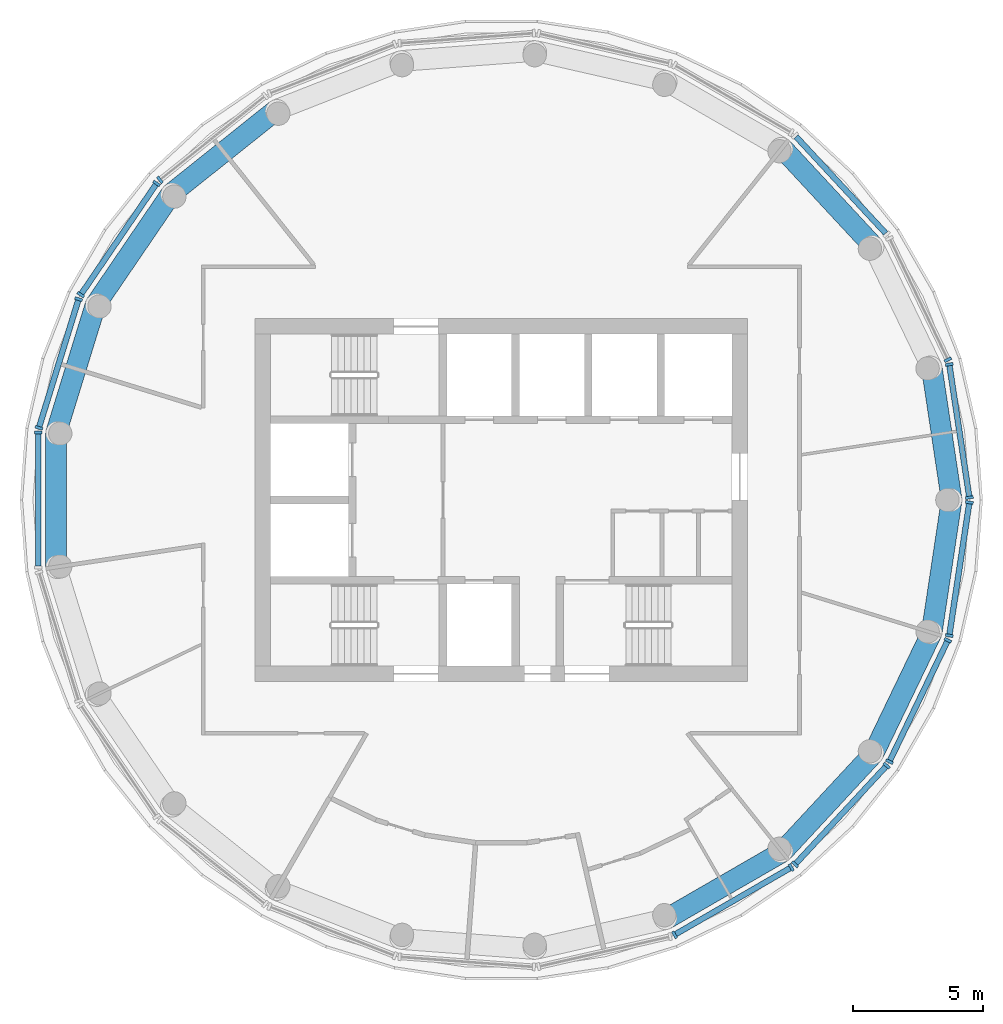
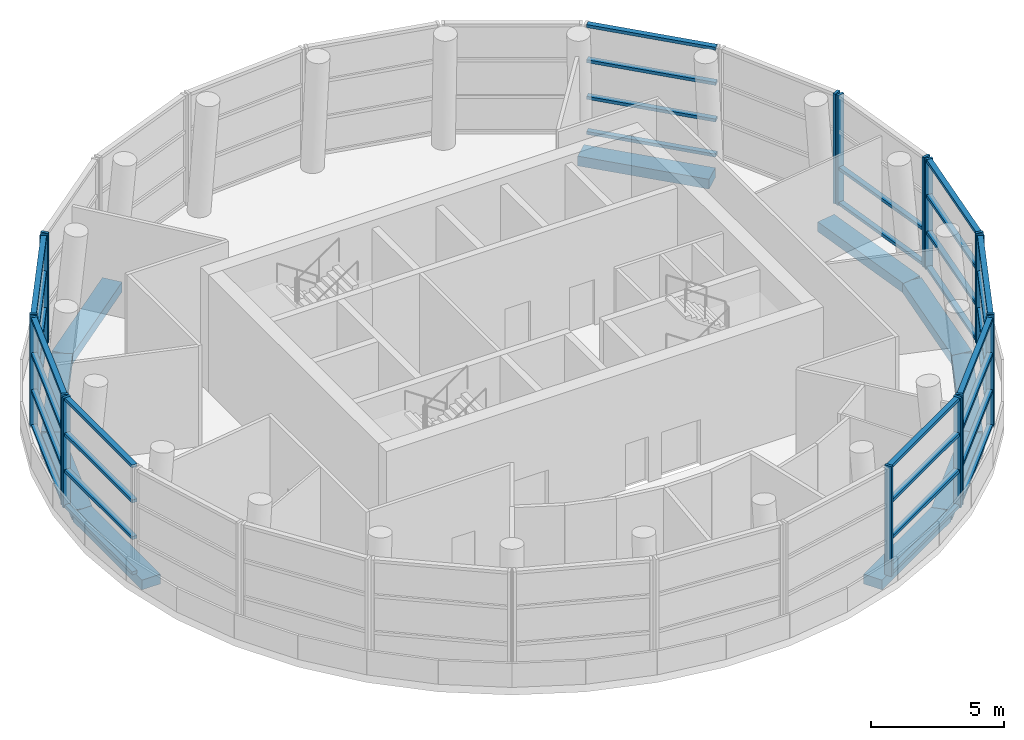
# One storey, part 2 of 11: 51 members, 10 beams, 11 elements without a shape of their own.
"""IFC4 building model written with IfcOpenShell, lengths in metres."""

import ifcopenshell
import ifcopenshell.guid

model = None  # the IFC model being written
_history = None  # IfcOwnerHistory: only IFC2X3 demands one
_inside = {}  # id of a spatial element -> (the spatial element, [elements in it])
_under = {}  # id of a project, library or spatial element -> (it, [spatial elements below it])
_declared = {}  # id of a project -> (the project, [libraries it declares])
_typed = {}  # id of a type object -> (the type object, [elements of that type])
_made_of = {}  # id of a material, layer set ... -> (it, [elements and type objects made of it])


def new_model(schema):
    """Start an empty IFC model of exactly this schema.

    Asked for "IFC4X3", IfcOpenShell would pick the latest addendum, in which some entities
    have other attributes; the version numbers below select the first issue.
    IFC2X3 requires an IfcOwnerHistory on every rooted entity: one is made here for all.
    """
    global model, _history
    if schema == "IFC4X3":
        model = ifcopenshell.file(schema_version=(4, 3, 0, 0))
    else:
        model = ifcopenshell.file(schema=schema)
    _inside.clear()
    _under.clear()
    _declared.clear()
    _typed.clear()
    _made_of.clear()
    _history = None
    if model.schema == "IFC2X3":
        org = make("IfcOrganization", Name="unknown")
        user = make(
            "IfcPersonAndOrganization",
            ThePerson=make("IfcPerson", FamilyName="unknown"),
            TheOrganization=org,
        )
        app = make(
            "IfcApplication",
            ApplicationDeveloper=org,
            Version="unknown",
            ApplicationFullName="unknown",
            ApplicationIdentifier="unknown",
        )
        _history = make(
            "IfcOwnerHistory",
            OwningUser=user,
            OwningApplication=app,
            ChangeAction="ADDED",
            CreationDate=0,
        )
    return model


def make(cls, **values):
    """One entity of the class cls with the attributes given. An attribute that is None is left unset."""
    return model.create_entity(
        cls, **{name: value for name, value in values.items() if value is not None}
    )


def rooted(cls, **values):
    """An entity with a GlobalId (a new one), such as an element, a storey or a relation."""
    return make(cls, GlobalId=ifcopenshell.guid.new(), OwnerHistory=_history, **values)


def si_unit(unit_type, name, prefix=None):
    """IfcSIUnit, for example si_unit("LENGTHUNIT", "METRE", prefix="MILLI")."""
    return make("IfcSIUnit", UnitType=unit_type, Prefix=prefix, Name=name)


def assignment(units):
    """IfcUnitAssignment: the units of a project."""
    return None if units is None else make("IfcUnitAssignment", Units=units)


def point(xyz):
    """IfcCartesianPoint."""
    return None if xyz is None else make("IfcCartesianPoint", Coordinates=xyz)


def direction(xyz):
    """IfcDirection."""
    return None if xyz is None else make("IfcDirection", DirectionRatios=xyz)


def frame(location, z_axis=None, x_axis=None):
    """IfcAxis2Placement3D, a coordinate frame: its origin and axes. An axis left out is left unset."""
    return make(
        "IfcAxis2Placement3D",
        Location=point(location),
        Axis=direction(z_axis),
        RefDirection=direction(x_axis),
    )


def frame_2d(location, x_axis=None):
    """IfcAxis2Placement2D, a coordinate frame in the plane: its origin and x axis."""
    return make(
        "IfcAxis2Placement2D", Location=point(location), RefDirection=direction(x_axis)
    )


def origin():
    """The frame at (0, 0, 0) with its axes left unset."""
    return frame((0.0, 0.0, 0.0))


def origin_2d():
    """The frame at (0, 0) in the plane with its x axis left unset."""
    return frame_2d((0.0, 0.0))


def place(relative_to, where):
    """IfcLocalPlacement: puts the frame where relative to a parent placement (None: the world)."""
    return make(
        "IfcLocalPlacement", PlacementRelTo=relative_to, RelativePlacement=where
    )


def context(
    kind, dimensions, precision=None, world=None, true_north=None, identifier=None
):
    """IfcGeometricRepresentationContext, for example the 3D "Model" context."""
    return make(
        "IfcGeometricRepresentationContext",
        ContextIdentifier=identifier,
        ContextType=kind,
        CoordinateSpaceDimension=dimensions,
        Precision=precision,
        WorldCoordinateSystem=world,
        TrueNorth=true_north,
    )


def subcontext(parent, identifier, kind, view, scale=None):
    """IfcGeometricRepresentationSubContext, for example "Body" below "Model"."""
    return make(
        "IfcGeometricRepresentationSubContext",
        ContextIdentifier=identifier,
        ContextType=kind,
        ParentContext=parent,
        TargetScale=scale,
        TargetView=view,
    )


def project(units=None, contexts=None):
    """IfcProject with its units and contexts."""
    return rooted(
        "IfcProject",
        Name="project",
        RepresentationContexts=contexts,
        UnitsInContext=assignment(units),
    )


def spatial(cls, under=None, at=None, **own):
    """A site, building, storey or space (cls), placed at a placement, below another one or the project."""
    s = rooted(cls, ObjectPlacement=at, **own)
    if under is not None:
        _under.setdefault(under.id(), (under, []))[1].append(s)
    return s


def profile(cls, at=None, kind="AREA", **sizes):
    """A parametric profile (cls). Its sizes go by their IFC names, for example OverallWidth=200.0."""
    return make(cls, ProfileType=kind, Position=at, **sizes)


def rectangle(**sizes):
    """IfcRectangleProfileDef."""
    return profile("IfcRectangleProfileDef", **sizes)


def extrude(swept, where, along, depth):
    """IfcExtrudedAreaSolid: the profile swept, set in the frame where, extruded along a direction by depth."""
    return make(
        "IfcExtrudedAreaSolid",
        SweptArea=swept,
        Position=where,
        ExtrudedDirection=direction(along),
        Depth=depth,
    )


def shape(context_of_items, identifier, shape_type, items):
    """IfcShapeRepresentation: the items that make up one representation, for example the "Body"."""
    return make(
        "IfcShapeRepresentation",
        ContextOfItems=context_of_items,
        RepresentationIdentifier=identifier,
        RepresentationType=shape_type,
        Items=items,
    )


def material(Name=None, Category=None):
    """IfcMaterial."""
    return make("IfcMaterial", Name=Name, Category=Category)


def material_profile(
    of_material, cross_section, Name=None, Category=None, Priority=None
):
    """IfcMaterialProfile: a cross section and its material."""
    return make(
        "IfcMaterialProfile",
        Name=Name,
        Material=of_material,
        Profile=cross_section,
        Priority=Priority,
        Category=Category,
    )


def profile_set(profiles, Name=None, composite=None):
    """IfcMaterialProfileSet."""
    return make(
        "IfcMaterialProfileSet",
        Name=Name,
        MaterialProfiles=profiles,
        CompositeProfile=composite,
    )


def made_of(thing, what):
    """Note that an element or type object is made of a material, layer set ...; save() writes the relation."""
    if what is not None:
        _made_of.setdefault(what.id(), (what, []))[1].append(thing)
    return thing


def type_object(cls, material=None, **own):
    """A type object (cls), such as IfcWallType, which elements share."""
    return made_of(rooted(cls, **own), material)


def element(
    cls,
    number,
    at=None,
    inside=None,
    cuts=None,
    type_object=None,
    material=None,
    context=None,
    identifier="Body",
    shape_type=None,
    held_by="IfcProductDefinitionShape",
    body=None,
    shapes=None,
    **own,
):
    """One element of the class cls, such as IfcWall. Its Tag is "e" and its number.

    at: its placement. inside: the storey or other place that contains it. cuts: it is an
    opening in that element (IfcRelVoidsElement). A single representation is given by context,
    identifier, shape_type and body (its items); several are given by shapes. held_by: the class
    of the entity that holds the representations. save() writes the other relations.
    """
    e = rooted(cls, Tag="e%d" % number, ObjectPlacement=at, **own)
    if body is not None:
        shapes = [shape(context, identifier, shape_type, body)]
    if shapes is not None:
        e.Representation = make(held_by, Representations=shapes)
    if inside is not None:
        _inside.setdefault(inside.id(), (inside, []))[1].append(e)
    if cuts is not None:
        rooted(
            "IfcRelVoidsElement", RelatingBuildingElement=cuts, RelatedOpeningElement=e
        )
    if type_object is not None:
        _typed.setdefault(type_object.id(), (type_object, []))[1].append(e)
    return made_of(e, material)


def aggregate(whole, parts):
    """IfcRelAggregates: a whole, such as a stair, and the parts it consists of."""
    return rooted("IfcRelAggregates", RelatingObject=whole, RelatedObjects=parts)


def save(model, path):
    """Write the relations noted so far, then the file.

    IfcRelAggregates (storeys below a building ...), IfcRelContainedInSpatialStructure (elements
    in a storey), IfcRelDefinesByType, IfcRelAssociatesMaterial and IfcRelDeclares: one each for
    every whole, place, type object, material and project.
    """
    for whole, parts in _under.values():
        aggregate(whole, parts)
    for where, things in _inside.values():
        rooted(
            "IfcRelContainedInSpatialStructure",
            RelatedElements=things,
            RelatingStructure=where,
        )
    for kind, things in _typed.values():
        rooted("IfcRelDefinesByType", RelatedObjects=things, RelatingType=kind)
    for what, things in _made_of.values():
        rooted("IfcRelAssociatesMaterial", RelatedObjects=things, RelatingMaterial=what)
    for by, libraries in _declared.values():
        rooted("IfcRelDeclares", RelatingContext=by, RelatedDefinitions=libraries)
    model.write(path)


model = new_model("IFC4")

# Units and contexts
model_context = context("Model", 3, precision=1e-05, world=origin(), true_north=direction((0.0, 1.0)))
body_context = subcontext(model_context, "Body", "Model", "MODEL_VIEW")
ifc_project = project(units=[si_unit("LENGTHUNIT", "METRE"), si_unit("AREAUNIT", "SQUARE_METRE"), si_unit("VOLUMEUNIT", "CUBIC_METRE"), si_unit("PLANEANGLEUNIT", "RADIAN"), si_unit("MASSUNIT", "GRAM", prefix="KILO")], contexts=[model_context])

# Site, building, storey
site_placement = place(None, origin())
site = spatial("IfcSite", under=ifc_project, at=site_placement, CompositionType="ELEMENT")
building_placement = place(site_placement, origin())
building = spatial("IfcBuilding", under=site, at=building_placement, Name="Tracery Tower", CompositionType="ELEMENT")
storey_placement = place(building_placement, frame((0.0, 0.0, 346.800048828125)))
storey = spatial("IfcBuildingStorey", under=building, at=storey_placement, Name="L89", CompositionType="ELEMENT", Elevation=346.800048828125)

# Curtain wall, members
ifc_material_1 = material(Name="Aluminium curtain wall with tinted glass", Category="aluminium")
curtain_wall_type = type_object("IfcCurtainWallType", Name="Observation lower deck glazing curtain wall", PredefinedType="NOTDEFINED", material=ifc_material_1)
curtain_wall_1_placement = place(storey_placement, origin())
curtain_wall_1 = element("IfcCurtainWall", 1, at=curtain_wall_1_placement, inside=storey, type_object=curtain_wall_type, Name="Observation lower deck glazing run 00", PredefinedType="NOTDEFINED")
ifc_material_2 = material(Name="Aluminium, bronze anodised", Category="aluminium")
ifc_material_profile_1 = material_profile(ifc_material_2, rectangle(XDim=0.300048828125, YDim=0.110107421875, at=origin_2d()), Name="Observation lower deck glazing mullion 110 x 300")
ifc_profile_set_1 = profile_set([ifc_material_profile_1], Name="Aluminium, bronze anodised")
member_type_1 = type_object("IfcMemberType", Name="Observation lower deck glazing mullion 110 x 300", PredefinedType="MULLION", material=ifc_profile_set_1)
member_1_placement = place(storey_placement, frame((18.05810546875, 0.093994140625, 0.0), z_axis=(0.0, 0.0, 1.0), x_axis=(-0.988832589842, -0.149030564874, 0.0)))
member_1 = element("IfcMember", 2, at=member_1_placement, type_object=member_type_1, Name="CWB4 mullion 1", PredefinedType="MULLION", context=body_context, shape_type="SweptSolid", body=[
    extrude(rectangle(XDim=0.300048828125, YDim=0.110107421875, at=origin_2d()), origin(), (0.0, 0.0, 1.0), 5.050048828125),
])
member_2_placement = place(storey_placement, frame((17.283447265625, 5.23291015625, 0.0), z_axis=(0.0, 0.0, 1.0), x_axis=(-0.988832589842, -0.149030564874, 0.0)))
member_2 = element("IfcMember", 3, at=member_2_placement, type_object=member_type_1, Name="CWB4 mullion 2", PredefinedType="MULLION", context=body_context, shape_type="SweptSolid", body=[
    extrude(rectangle(XDim=0.300048828125, YDim=0.110107421875, at=origin_2d()), origin(), (0.0, 0.0, 1.0), 5.050048828125),
])

# Curtain wall, member
curtain_wall_2_placement = place(storey_placement, origin())
curtain_wall_2 = element("IfcCurtainWall", 4, at=curtain_wall_2_placement, inside=storey, type_object=curtain_wall_type, Name="Observation lower deck glazing run 01", PredefinedType="NOTDEFINED")
member_3_placement = place(storey_placement, frame((17.22802734375, 5.412353515625, 0.0), z_axis=(0.0, 0.0, 1.0), x_axis=(-0.900972480134, -0.433876238161, 0.0)))
member_3 = element("IfcMember", 5, at=member_3_placement, type_object=member_type_1, Name="CWB4 mullion 1", PredefinedType="MULLION", context=body_context, shape_type="SweptSolid", body=[
    extrude(rectangle(XDim=0.300048828125, YDim=0.110107421875, at=origin_2d()), origin(), (0.0, 0.0, 1.0), 5.050048828125),
])
aggregate(curtain_wall_2, [member_3])

curtain_wall_3_placement = place(storey_placement, origin())
curtain_wall_3 = element("IfcCurtainWall", 6, at=curtain_wall_3_placement, inside=storey, type_object=curtain_wall_type, Name="Observation lower deck glazing run 07", PredefinedType="NOTDEFINED")
member_4_placement = place(storey_placement, frame((-13.173583984375, 12.3515625, 0.0), z_axis=(0.0, 0.0, 1.0), x_axis=(0.623480980699, -0.781838517027, 0.0)))
member_4 = element("IfcMember", 7, at=member_4_placement, type_object=member_type_1, Name="CWB4 mullion 2", PredefinedType="MULLION", context=body_context, shape_type="SweptSolid", body=[
    extrude(rectangle(XDim=0.300048828125, YDim=0.110107421875, at=origin_2d()), origin(), (0.0, 0.0, 1.0), 5.050048828125),
])
aggregate(curtain_wall_3, [member_4])

# Curtain wall, members
curtain_wall_4_placement = place(storey_placement, origin())
curtain_wall_4 = element("IfcCurtainWall", 8, at=curtain_wall_4_placement, inside=storey, type_object=curtain_wall_type, Name="Observation lower deck glazing run 08", PredefinedType="NOTDEFINED")
member_5_placement = place(storey_placement, frame((-13.30126953125, 12.2138671875, 0.0), z_axis=(0.0, 0.0, 1.0), x_axis=(0.826236511609, -0.563323376832, 0.0)))
member_5 = element("IfcMember", 9, at=member_5_placement, type_object=member_type_1, Name="CWB4 mullion 1", PredefinedType="MULLION", context=body_context, shape_type="SweptSolid", body=[
    extrude(rectangle(XDim=0.300048828125, YDim=0.110107421875, at=origin_2d()), origin(), (0.0, 0.0, 1.0), 5.050048828125),
])
member_6_placement = place(storey_placement, frame((-16.22900390625, 7.919677734375, 0.0), z_axis=(0.0, 0.0, 1.0), x_axis=(0.826236511609, -0.563323376832, 0.0)))
member_6 = element("IfcMember", 10, at=member_6_placement, type_object=member_type_1, Name="CWB4 mullion 2", PredefinedType="MULLION", context=body_context, shape_type="SweptSolid", body=[
    extrude(rectangle(XDim=0.300048828125, YDim=0.110107421875, at=origin_2d()), origin(), (0.0, 0.0, 1.0), 5.050048828125),
])

curtain_wall_5_placement = place(storey_placement, origin())
curtain_wall_5 = element("IfcCurtainWall", 11, at=curtain_wall_5_placement, inside=storey, type_object=curtain_wall_type, Name="Observation lower deck glazing run 09", PredefinedType="NOTDEFINED")
member_7_placement = place(storey_placement, frame((-16.310546875, 7.75048828125, 0.0), z_axis=(0.0, 0.0, 1.0), x_axis=(0.95557221572, -0.29475708735, 0.0)))
member_7 = element("IfcMember", 12, at=member_7_placement, type_object=member_type_1, Name="CWB4 mullion 1", PredefinedType="MULLION", context=body_context, shape_type="SweptSolid", body=[
    extrude(rectangle(XDim=0.300048828125, YDim=0.110107421875, at=origin_2d()), origin(), (0.0, 0.0, 1.0), 5.050048828125),
])
member_8_placement = place(storey_placement, frame((-17.84228515625, 2.7841796875, 0.0), z_axis=(0.0, 0.0, 1.0), x_axis=(0.95557221572, -0.29475708735, 0.0)))
member_8 = element("IfcMember", 13, at=member_8_placement, type_object=member_type_1, Name="CWB4 mullion 2", PredefinedType="MULLION", context=body_context, shape_type="SweptSolid", body=[
    extrude(rectangle(XDim=0.300048828125, YDim=0.110107421875, at=origin_2d()), origin(), (0.0, 0.0, 1.0), 5.050048828125),
])

# Curtain wall, member
curtain_wall_6_placement = place(storey_placement, origin())
curtain_wall_6 = element("IfcCurtainWall", 14, at=curtain_wall_6_placement, inside=storey, type_object=curtain_wall_type, Name="Observation lower deck glazing run 10", PredefinedType="NOTDEFINED")
member_9_placement = place(storey_placement, frame((-17.870361328125, 2.598388671875, 0.0), z_axis=(0.0, 0.0, 1.0), x_axis=(1.0, 0.0, 0.0)))
member_9 = element("IfcMember", 15, at=member_9_placement, type_object=member_type_1, Name="CWB4 mullion 1", PredefinedType="MULLION", context=body_context, shape_type="SweptSolid", body=[
    extrude(rectangle(XDim=0.300048828125, YDim=0.110107421875, at=origin_2d()), origin(), (0.0, 0.0, 1.0), 5.050048828125),
])

# Curtain wall, members
curtain_wall_7_placement = place(storey_placement, origin())
curtain_wall_7 = element("IfcCurtainWall", 16, at=curtain_wall_7_placement, inside=storey, type_object=curtain_wall_type, Name="Observation lower deck glazing run 17", PredefinedType="NOTDEFINED")
member_10_placement = place(storey_placement, frame((6.684814453125, -16.775390625, 0.0), z_axis=(0.0, 0.0, 1.0), x_axis=(-0.49999974037, 0.866025553682, 0.0)))
member_10 = element("IfcMember", 17, at=member_10_placement, type_object=member_type_1, Name="CWB4 mullion 1", PredefinedType="MULLION", context=body_context, shape_type="SweptSolid", body=[
    extrude(rectangle(XDim=0.300048828125, YDim=0.110107421875, at=origin_2d()), origin(), (0.0, 0.0, 1.0), 5.050048828125),
])
member_11_placement = place(storey_placement, frame((11.185546875, -14.177001953125, 0.0), z_axis=(0.0, 0.0, 1.0), x_axis=(-0.49999974037, 0.866025553682, 0.0)))
member_11 = element("IfcMember", 18, at=member_11_placement, type_object=member_type_1, Name="CWB4 mullion 2", PredefinedType="MULLION", context=body_context, shape_type="SweptSolid", body=[
    extrude(rectangle(XDim=0.300048828125, YDim=0.110107421875, at=origin_2d()), origin(), (0.0, 0.0, 1.0), 5.050048828125),
])

curtain_wall_8_placement = place(storey_placement, origin())
curtain_wall_8 = element("IfcCurtainWall", 19, at=curtain_wall_8_placement, inside=storey, type_object=curtain_wall_type, Name="Observation lower deck glazing run 18", PredefinedType="NOTDEFINED")
member_12_placement = place(storey_placement, frame((11.33251953125, -14.059814453125, 0.0), z_axis=(0.0, 0.0, 1.0), x_axis=(-0.733049136784, 0.680175685438, 0.0)))
member_12 = element("IfcMember", 20, at=member_12_placement, type_object=member_type_1, Name="CWB4 mullion 1", PredefinedType="MULLION", context=body_context, shape_type="SweptSolid", body=[
    extrude(rectangle(XDim=0.300048828125, YDim=0.110107421875, at=origin_2d()), origin(), (0.0, 0.0, 1.0), 5.050048828125),
])
member_13_placement = place(storey_placement, frame((14.8671875, -10.25, 0.0), z_axis=(0.0, 0.0, 1.0), x_axis=(-0.733049136784, 0.680175685438, 0.0)))
member_13 = element("IfcMember", 21, at=member_13_placement, type_object=member_type_1, Name="CWB4 mullion 2", PredefinedType="MULLION", context=body_context, shape_type="SweptSolid", body=[
    extrude(rectangle(XDim=0.300048828125, YDim=0.110107421875, at=origin_2d()), origin(), (0.0, 0.0, 1.0), 5.050048828125),
])

curtain_wall_9_placement = place(storey_placement, origin())
curtain_wall_9 = element("IfcCurtainWall", 22, at=curtain_wall_9_placement, inside=storey, type_object=curtain_wall_type, Name="Observation lower deck glazing run 19", PredefinedType="NOTDEFINED")
member_14_placement = place(storey_placement, frame((14.97314453125, -10.0947265625, 0.0), z_axis=(0.0, 0.0, 1.0), x_axis=(-0.900972480134, 0.433876238161, 0.0)))
member_14 = element("IfcMember", 23, at=member_14_placement, type_object=member_type_1, Name="CWB4 mullion 1", PredefinedType="MULLION", context=body_context, shape_type="SweptSolid", body=[
    extrude(rectangle(XDim=0.300048828125, YDim=0.110107421875, at=origin_2d()), origin(), (0.0, 0.0, 1.0), 5.050048828125),
])
member_15_placement = place(storey_placement, frame((17.22802734375, -5.412353515625, 0.0), z_axis=(0.0, 0.0, 1.0), x_axis=(-0.900972480134, 0.433876238161, 0.0)))
member_15 = element("IfcMember", 24, at=member_15_placement, type_object=member_type_1, Name="CWB4 mullion 2", PredefinedType="MULLION", context=body_context, shape_type="SweptSolid", body=[
    extrude(rectangle(XDim=0.300048828125, YDim=0.110107421875, at=origin_2d()), origin(), (0.0, 0.0, 1.0), 5.050048828125),
])

curtain_wall_10_placement = place(storey_placement, origin())
curtain_wall_10 = element("IfcCurtainWall", 25, at=curtain_wall_10_placement, inside=storey, type_object=curtain_wall_type, Name="Observation lower deck glazing run 20", PredefinedType="NOTDEFINED")
member_16_placement = place(storey_placement, frame((17.283447265625, -5.23291015625, 0.0), z_axis=(0.0, 0.0, 1.0), x_axis=(-0.988832589842, 0.149030564874, 0.0)))
member_16 = element("IfcMember", 26, at=member_16_placement, type_object=member_type_1, Name="CWB4 mullion 1", PredefinedType="MULLION", context=body_context, shape_type="SweptSolid", body=[
    extrude(rectangle(XDim=0.300048828125, YDim=0.110107421875, at=origin_2d()), origin(), (0.0, 0.0, 1.0), 5.050048828125),
])
member_17_placement = place(storey_placement, frame((18.05810546875, -0.093994140625, 0.0), z_axis=(0.0, 0.0, 1.0), x_axis=(-0.988832589842, 0.149030564874, 0.0)))
member_17 = element("IfcMember", 27, at=member_17_placement, type_object=member_type_1, Name="CWB4 mullion 2", PredefinedType="MULLION", context=body_context, shape_type="SweptSolid", body=[
    extrude(rectangle(XDim=0.300048828125, YDim=0.110107421875, at=origin_2d()), origin(), (0.0, 0.0, 1.0), 5.050048828125),
])

# Member
ifc_material_3 = material(Name="Aluminium, bronze anodised", Category="aluminium")
ifc_material_profile_2 = material_profile(ifc_material_3, rectangle(XDim=0.219970703125, YDim=0.139892578125, at=origin_2d()), Name="Observation lower deck glazing transom 140 x 220")
ifc_profile_set_2 = profile_set([ifc_material_profile_2], Name="Aluminium, bronze anodised")
member_type_2 = type_object("IfcMemberType", Name="Observation lower deck glazing transom 140 x 220", PredefinedType="USERDEFINED", material=ifc_profile_set_2)
member_18_placement = place(storey_placement, frame((18.0498046875, 0.1484375, 0.070068359375), z_axis=(-0.149023373143, 0.988833673707, 0.0), x_axis=(-0.988833673707, -0.149023373143, 0.0)))
member_18 = element("IfcMember", 28, at=member_18_placement, type_object=member_type_2, Name="CWB4 transom 1.1", ObjectType="TRANSOM", PredefinedType="USERDEFINED", context=body_context, shape_type="SweptSolid", body=[
    extrude(rectangle(XDim=0.219970703125, YDim=0.139892578125, at=origin_2d()), origin(), (0.0, 0.0, 1.0), 5.0869140625),
])

member_19_placement = place(storey_placement, frame((18.0498046875, 0.1484375, 1.683349609375), z_axis=(-0.149023373143, 0.988833673707, 0.0), x_axis=(-0.988833673707, -0.149023373143, 0.0)))
member_19 = element("IfcMember", 29, at=member_19_placement, type_object=member_type_2, Name="CWB4 transom 1.2", ObjectType="TRANSOM", PredefinedType="USERDEFINED", context=body_context, shape_type="SweptSolid", body=[
    extrude(rectangle(XDim=0.219970703125, YDim=0.139892578125, at=origin_2d()), origin(), (0.0, 0.0, 1.0), 5.0869140625),
])

aggregate(curtain_wall_1, [member_1, member_2, member_18, member_19])

# Curtain wall, members
curtain_wall_11_placement = place(storey_placement, origin())
curtain_wall_11 = element("IfcCurtainWall", 30, at=curtain_wall_11_placement, inside=storey, type_object=curtain_wall_type, Name="Observation lower deck glazing run 02", PredefinedType="NOTDEFINED")
member_20_placement = place(storey_placement, frame((14.829833984375, 10.29052734375, 0.070068359375), z_axis=(-0.680167556544, 0.733056679272, 0.0), x_axis=(-0.733056679272, -0.680167556544, 0.0)))
member_20 = element("IfcMember", 31, at=member_20_placement, type_object=member_type_2, Name="CWB4 transom 1.1", ObjectType="TRANSOM", PredefinedType="USERDEFINED", context=body_context, shape_type="SweptSolid", body=[
    extrude(rectangle(XDim=0.219970703125, YDim=0.139892578125, at=origin_2d()), origin(), (0.0, 0.0, 1.0), 5.0869140625),
])
member_21_placement = place(storey_placement, frame((14.829833984375, 10.29052734375, 1.683349609375), z_axis=(-0.680167556544, 0.733056679272, 0.0), x_axis=(-0.733056679272, -0.680167556544, 0.0)))
member_21 = element("IfcMember", 32, at=member_21_placement, type_object=member_type_2, Name="CWB4 transom 1.2", ObjectType="TRANSOM", PredefinedType="USERDEFINED", context=body_context, shape_type="SweptSolid", body=[
    extrude(rectangle(XDim=0.219970703125, YDim=0.139892578125, at=origin_2d()), origin(), (0.0, 0.0, 1.0), 5.0869140625),
])
member_22_placement = place(storey_placement, frame((14.829833984375, 10.29052734375, 3.36669921875), z_axis=(-0.680167556544, 0.733056679272, 0.0), x_axis=(-0.733056679272, -0.680167556544, 0.0)))
member_22 = element("IfcMember", 33, at=member_22_placement, type_object=member_type_2, Name="CWB4 transom 1.3", ObjectType="TRANSOM", PredefinedType="USERDEFINED", context=body_context, shape_type="SweptSolid", body=[
    extrude(rectangle(XDim=0.219970703125, YDim=0.139892578125, at=origin_2d()), origin(), (0.0, 0.0, 1.0), 5.0869140625),
])
member_23_placement = place(storey_placement, frame((14.829833984375, 10.29052734375, 4.97998046875), z_axis=(-0.680167556544, 0.733056679272, 0.0), x_axis=(-0.733056679272, -0.680167556544, 0.0)))
member_23 = element("IfcMember", 34, at=member_23_placement, type_object=member_type_2, Name="CWB4 transom 1.4", ObjectType="TRANSOM", PredefinedType="USERDEFINED", context=body_context, shape_type="SweptSolid", body=[
    extrude(rectangle(XDim=0.219970703125, YDim=0.139892578125, at=origin_2d()), origin(), (0.0, 0.0, 1.0), 5.0869140625),
])
aggregate(curtain_wall_11, [member_20, member_21, member_22, member_23])

# Member
member_24_placement = place(storey_placement, frame((-13.332275390625, 12.168212890625, 0.070068359375), z_axis=(-0.563330867925, -0.826231404174, 0.0), x_axis=(0.826231404174, -0.563330867925, 0.0)))
member_24 = element("IfcMember", 35, at=member_24_placement, type_object=member_type_2, Name="CWB4 transom 1.1", ObjectType="TRANSOM", PredefinedType="USERDEFINED", context=body_context, shape_type="SweptSolid", body=[
    extrude(rectangle(XDim=0.219970703125, YDim=0.139892578125, at=origin_2d()), origin(), (0.0, 0.0, 1.0), 5.087158203125),
])

member_25_placement = place(storey_placement, frame((-13.332275390625, 12.168212890625, 1.683349609375), z_axis=(-0.563330867925, -0.826231404174, 0.0), x_axis=(0.826231404174, -0.563330867925, 0.0)))
member_25 = element("IfcMember", 36, at=member_25_placement, type_object=member_type_2, Name="CWB4 transom 1.2", ObjectType="TRANSOM", PredefinedType="USERDEFINED", context=body_context, shape_type="SweptSolid", body=[
    extrude(rectangle(XDim=0.219970703125, YDim=0.139892578125, at=origin_2d()), origin(), (0.0, 0.0, 1.0), 5.087158203125),
])

member_26_placement = place(storey_placement, frame((-13.332275390625, 12.168212890625, 3.36669921875), z_axis=(-0.563330867925, -0.826231404174, 0.0), x_axis=(0.826231404174, -0.563330867925, 0.0)))
member_26 = element("IfcMember", 37, at=member_26_placement, type_object=member_type_2, Name="CWB4 transom 1.3", ObjectType="TRANSOM", PredefinedType="USERDEFINED", context=body_context, shape_type="SweptSolid", body=[
    extrude(rectangle(XDim=0.219970703125, YDim=0.139892578125, at=origin_2d()), origin(), (0.0, 0.0, 1.0), 5.087158203125),
])

member_27_placement = place(storey_placement, frame((-13.332275390625, 12.168212890625, 4.97998046875), z_axis=(-0.563330867925, -0.826231404174, 0.0), x_axis=(0.826231404174, -0.563330867925, 0.0)))
member_27 = element("IfcMember", 38, at=member_27_placement, type_object=member_type_2, Name="CWB4 transom 1.4", ObjectType="TRANSOM", PredefinedType="USERDEFINED", context=body_context, shape_type="SweptSolid", body=[
    extrude(rectangle(XDim=0.219970703125, YDim=0.139892578125, at=origin_2d()), origin(), (0.0, 0.0, 1.0), 5.087158203125),
])

aggregate(curtain_wall_4, [member_5, member_6, member_24, member_25, member_26, member_27])

member_28_placement = place(storey_placement, frame((-16.32666015625, 7.697998046875, 0.070068359375), z_axis=(-0.29476700144, -0.955569157551, 0.0), x_axis=(0.955569157551, -0.29476700144, 0.0)))
member_28 = element("IfcMember", 39, at=member_28_placement, type_object=member_type_2, Name="CWB4 transom 1.1", ObjectType="TRANSOM", PredefinedType="USERDEFINED", context=body_context, shape_type="SweptSolid", body=[
    extrude(rectangle(XDim=0.219970703125, YDim=0.139892578125, at=origin_2d()), origin(), (0.0, 0.0, 1.0), 5.087158203125),
])

member_29_placement = place(storey_placement, frame((-16.32666015625, 7.697998046875, 1.683349609375), z_axis=(-0.29476700144, -0.955569157551, 0.0), x_axis=(0.955569157551, -0.29476700144, 0.0)))
member_29 = element("IfcMember", 40, at=member_29_placement, type_object=member_type_2, Name="CWB4 transom 1.2", ObjectType="TRANSOM", PredefinedType="USERDEFINED", context=body_context, shape_type="SweptSolid", body=[
    extrude(rectangle(XDim=0.219970703125, YDim=0.139892578125, at=origin_2d()), origin(), (0.0, 0.0, 1.0), 5.087158203125),
])

member_30_placement = place(storey_placement, frame((-16.32666015625, 7.697998046875, 3.36669921875), z_axis=(-0.29476700144, -0.955569157551, 0.0), x_axis=(0.955569157551, -0.29476700144, 0.0)))
member_30 = element("IfcMember", 41, at=member_30_placement, type_object=member_type_2, Name="CWB4 transom 1.3", ObjectType="TRANSOM", PredefinedType="USERDEFINED", context=body_context, shape_type="SweptSolid", body=[
    extrude(rectangle(XDim=0.219970703125, YDim=0.139892578125, at=origin_2d()), origin(), (0.0, 0.0, 1.0), 5.087158203125),
])

member_31_placement = place(storey_placement, frame((-16.32666015625, 7.697998046875, 4.97998046875), z_axis=(-0.29476700144, -0.955569157551, 0.0), x_axis=(0.955569157551, -0.29476700144, 0.0)))
member_31 = element("IfcMember", 42, at=member_31_placement, type_object=member_type_2, Name="CWB4 transom 1.4", ObjectType="TRANSOM", PredefinedType="USERDEFINED", context=body_context, shape_type="SweptSolid", body=[
    extrude(rectangle(XDim=0.219970703125, YDim=0.139892578125, at=origin_2d()), origin(), (0.0, 0.0, 1.0), 5.087158203125),
])

aggregate(curtain_wall_5, [member_7, member_8, member_28, member_29, member_30, member_31])

member_32_placement = place(storey_placement, frame((-17.870361328125, 2.54345703125, 0.070068359375), z_axis=(0.0, -1.0, 0.0), x_axis=(1.0, 0.0, 0.0)))
member_32 = element("IfcMember", 43, at=member_32_placement, type_object=member_type_2, Name="CWB4 transom 1.1", ObjectType="TRANSOM", PredefinedType="USERDEFINED", context=body_context, shape_type="SweptSolid", body=[
    extrude(rectangle(XDim=0.219970703125, YDim=0.139892578125, at=origin_2d()), origin(), (0.0, 0.0, 1.0), 5.0869140625),
])

member_33_placement = place(storey_placement, frame((-17.870361328125, 2.54345703125, 1.683349609375), z_axis=(0.0, -1.0, 0.0), x_axis=(1.0, 0.0, 0.0)))
member_33 = element("IfcMember", 44, at=member_33_placement, type_object=member_type_2, Name="CWB4 transom 1.2", ObjectType="TRANSOM", PredefinedType="USERDEFINED", context=body_context, shape_type="SweptSolid", body=[
    extrude(rectangle(XDim=0.219970703125, YDim=0.139892578125, at=origin_2d()), origin(), (0.0, 0.0, 1.0), 5.0869140625),
])

member_34_placement = place(storey_placement, frame((-17.870361328125, 2.54345703125, 3.36669921875), z_axis=(0.0, -1.0, 0.0), x_axis=(1.0, 0.0, 0.0)))
member_34 = element("IfcMember", 45, at=member_34_placement, type_object=member_type_2, Name="CWB4 transom 1.3", ObjectType="TRANSOM", PredefinedType="USERDEFINED", context=body_context, shape_type="SweptSolid", body=[
    extrude(rectangle(XDim=0.219970703125, YDim=0.139892578125, at=origin_2d()), origin(), (0.0, 0.0, 1.0), 5.0869140625),
])

member_35_placement = place(storey_placement, frame((-17.870361328125, 2.54345703125, 4.97998046875), z_axis=(0.0, -1.0, 0.0), x_axis=(1.0, 0.0, 0.0)))
member_35 = element("IfcMember", 46, at=member_35_placement, type_object=member_type_2, Name="CWB4 transom 1.4", ObjectType="TRANSOM", PredefinedType="USERDEFINED", context=body_context, shape_type="SweptSolid", body=[
    extrude(rectangle(XDim=0.219970703125, YDim=0.139892578125, at=origin_2d()), origin(), (0.0, 0.0, 1.0), 5.0869140625),
])

aggregate(curtain_wall_6, [member_9, member_32, member_33, member_34, member_35])

member_36_placement = place(storey_placement, frame((6.732421875, -16.747802734375, 0.070068359375), z_axis=(0.866031339083, 0.499989719621, 0.0), x_axis=(-0.499989719621, 0.866031339083, 0.0)))
member_36 = element("IfcMember", 47, at=member_36_placement, type_object=member_type_2, Name="CWB4 transom 1.1", ObjectType="TRANSOM", PredefinedType="USERDEFINED", context=body_context, shape_type="SweptSolid", body=[
    extrude(rectangle(XDim=0.219970703125, YDim=0.139892578125, at=origin_2d()), origin(), (0.0, 0.0, 1.0), 5.0869140625),
])

member_37_placement = place(storey_placement, frame((6.732421875, -16.747802734375, 1.683349609375), z_axis=(0.866031339083, 0.499989719621, 0.0), x_axis=(-0.499989719621, 0.866031339083, 0.0)))
member_37 = element("IfcMember", 48, at=member_37_placement, type_object=member_type_2, Name="CWB4 transom 1.2", ObjectType="TRANSOM", PredefinedType="USERDEFINED", context=body_context, shape_type="SweptSolid", body=[
    extrude(rectangle(XDim=0.219970703125, YDim=0.139892578125, at=origin_2d()), origin(), (0.0, 0.0, 1.0), 5.0869140625),
])

member_38_placement = place(storey_placement, frame((6.732421875, -16.747802734375, 3.36669921875), z_axis=(0.866031339083, 0.499989719621, 0.0), x_axis=(-0.499989719621, 0.866031339083, 0.0)))
member_38 = element("IfcMember", 49, at=member_38_placement, type_object=member_type_2, Name="CWB4 transom 1.3", ObjectType="TRANSOM", PredefinedType="USERDEFINED", context=body_context, shape_type="SweptSolid", body=[
    extrude(rectangle(XDim=0.219970703125, YDim=0.139892578125, at=origin_2d()), origin(), (0.0, 0.0, 1.0), 5.0869140625),
])

member_39_placement = place(storey_placement, frame((6.732421875, -16.747802734375, 4.97998046875), z_axis=(0.866031339083, 0.499989719621, 0.0), x_axis=(-0.499989719621, 0.866031339083, 0.0)))
member_39 = element("IfcMember", 50, at=member_39_placement, type_object=member_type_2, Name="CWB4 transom 1.4", ObjectType="TRANSOM", PredefinedType="USERDEFINED", context=body_context, shape_type="SweptSolid", body=[
    extrude(rectangle(XDim=0.219970703125, YDim=0.139892578125, at=origin_2d()), origin(), (0.0, 0.0, 1.0), 5.0869140625),
])

aggregate(curtain_wall_7, [member_10, member_11, member_36, member_37, member_38, member_39])

member_40_placement = place(storey_placement, frame((11.369873046875, -14.01953125, 0.070068359375), z_axis=(0.680167556544, 0.733056679272, 0.0), x_axis=(-0.733056679272, 0.680167556544, 0.0)))
member_40 = element("IfcMember", 51, at=member_40_placement, type_object=member_type_2, Name="CWB4 transom 1.1", ObjectType="TRANSOM", PredefinedType="USERDEFINED", context=body_context, shape_type="SweptSolid", body=[
    extrude(rectangle(XDim=0.219970703125, YDim=0.139892578125, at=origin_2d()), origin(), (0.0, 0.0, 1.0), 5.0869140625),
])

member_41_placement = place(storey_placement, frame((11.369873046875, -14.01953125, 1.683349609375), z_axis=(0.680167556544, 0.733056679272, 0.0), x_axis=(-0.733056679272, 0.680167556544, 0.0)))
member_41 = element("IfcMember", 52, at=member_41_placement, type_object=member_type_2, Name="CWB4 transom 1.2", ObjectType="TRANSOM", PredefinedType="USERDEFINED", context=body_context, shape_type="SweptSolid", body=[
    extrude(rectangle(XDim=0.219970703125, YDim=0.139892578125, at=origin_2d()), origin(), (0.0, 0.0, 1.0), 5.0869140625),
])

member_42_placement = place(storey_placement, frame((11.369873046875, -14.01953125, 3.36669921875), z_axis=(0.680167556544, 0.733056679272, 0.0), x_axis=(-0.733056679272, 0.680167556544, 0.0)))
member_42 = element("IfcMember", 53, at=member_42_placement, type_object=member_type_2, Name="CWB4 transom 1.3", ObjectType="TRANSOM", PredefinedType="USERDEFINED", context=body_context, shape_type="SweptSolid", body=[
    extrude(rectangle(XDim=0.219970703125, YDim=0.139892578125, at=origin_2d()), origin(), (0.0, 0.0, 1.0), 5.0869140625),
])

member_43_placement = place(storey_placement, frame((11.369873046875, -14.01953125, 4.97998046875), z_axis=(0.680167556544, 0.733056679272, 0.0), x_axis=(-0.733056679272, 0.680167556544, 0.0)))
member_43 = element("IfcMember", 54, at=member_43_placement, type_object=member_type_2, Name="CWB4 transom 1.4", ObjectType="TRANSOM", PredefinedType="USERDEFINED", context=body_context, shape_type="SweptSolid", body=[
    extrude(rectangle(XDim=0.219970703125, YDim=0.139892578125, at=origin_2d()), origin(), (0.0, 0.0, 1.0), 5.0869140625),
])

aggregate(curtain_wall_8, [member_12, member_13, member_40, member_41, member_42, member_43])

member_44_placement = place(storey_placement, frame((14.9970703125, -10.04541015625, 0.070068359375), z_axis=(0.433841591627, 0.90098916385, 0.0), x_axis=(-0.90098916385, 0.433841591627, 0.0)))
member_44 = element("IfcMember", 55, at=member_44_placement, type_object=member_type_2, Name="CWB4 transom 1.1", ObjectType="TRANSOM", PredefinedType="USERDEFINED", context=body_context, shape_type="SweptSolid", body=[
    extrude(rectangle(XDim=0.219970703125, YDim=0.139892578125, at=origin_2d()), origin(), (0.0, 0.0, 1.0), 5.087158203125),
])

member_45_placement = place(storey_placement, frame((14.9970703125, -10.04541015625, 1.683349609375), z_axis=(0.433841591627, 0.90098916385, 0.0), x_axis=(-0.90098916385, 0.433841591627, 0.0)))
member_45 = element("IfcMember", 56, at=member_45_placement, type_object=member_type_2, Name="CWB4 transom 1.2", ObjectType="TRANSOM", PredefinedType="USERDEFINED", context=body_context, shape_type="SweptSolid", body=[
    extrude(rectangle(XDim=0.219970703125, YDim=0.139892578125, at=origin_2d()), origin(), (0.0, 0.0, 1.0), 5.087158203125),
])

member_46_placement = place(storey_placement, frame((14.9970703125, -10.04541015625, 3.36669921875), z_axis=(0.433841591627, 0.90098916385, 0.0), x_axis=(-0.90098916385, 0.433841591627, 0.0)))
member_46 = element("IfcMember", 57, at=member_46_placement, type_object=member_type_2, Name="CWB4 transom 1.3", ObjectType="TRANSOM", PredefinedType="USERDEFINED", context=body_context, shape_type="SweptSolid", body=[
    extrude(rectangle(XDim=0.219970703125, YDim=0.139892578125, at=origin_2d()), origin(), (0.0, 0.0, 1.0), 5.087158203125),
])

member_47_placement = place(storey_placement, frame((14.9970703125, -10.04541015625, 4.97998046875), z_axis=(0.433841591627, 0.90098916385, 0.0), x_axis=(-0.90098916385, 0.433841591627, 0.0)))
member_47 = element("IfcMember", 58, at=member_47_placement, type_object=member_type_2, Name="CWB4 transom 1.4", ObjectType="TRANSOM", PredefinedType="USERDEFINED", context=body_context, shape_type="SweptSolid", body=[
    extrude(rectangle(XDim=0.219970703125, YDim=0.139892578125, at=origin_2d()), origin(), (0.0, 0.0, 1.0), 5.087158203125),
])

aggregate(curtain_wall_9, [member_14, member_15, member_44, member_45, member_46, member_47])

member_48_placement = place(storey_placement, frame((17.291748046875, -5.178466796875, 0.070068359375), z_axis=(0.149023373143, 0.988833673707, 0.0), x_axis=(-0.988833673707, 0.149023373143, 0.0)))
member_48 = element("IfcMember", 59, at=member_48_placement, type_object=member_type_2, Name="CWB4 transom 1.1", ObjectType="TRANSOM", PredefinedType="USERDEFINED", context=body_context, shape_type="SweptSolid", body=[
    extrude(rectangle(XDim=0.219970703125, YDim=0.139892578125, at=origin_2d()), origin(), (0.0, 0.0, 1.0), 5.0869140625),
])

member_49_placement = place(storey_placement, frame((17.291748046875, -5.178466796875, 1.683349609375), z_axis=(0.149023373143, 0.988833673707, 0.0), x_axis=(-0.988833673707, 0.149023373143, 0.0)))
member_49 = element("IfcMember", 60, at=member_49_placement, type_object=member_type_2, Name="CWB4 transom 1.2", ObjectType="TRANSOM", PredefinedType="USERDEFINED", context=body_context, shape_type="SweptSolid", body=[
    extrude(rectangle(XDim=0.219970703125, YDim=0.139892578125, at=origin_2d()), origin(), (0.0, 0.0, 1.0), 5.0869140625),
])

member_50_placement = place(storey_placement, frame((17.291748046875, -5.178466796875, 3.36669921875), z_axis=(0.149023373143, 0.988833673707, 0.0), x_axis=(-0.988833673707, 0.149023373143, 0.0)))
member_50 = element("IfcMember", 61, at=member_50_placement, type_object=member_type_2, Name="CWB4 transom 1.3", ObjectType="TRANSOM", PredefinedType="USERDEFINED", context=body_context, shape_type="SweptSolid", body=[
    extrude(rectangle(XDim=0.219970703125, YDim=0.139892578125, at=origin_2d()), origin(), (0.0, 0.0, 1.0), 5.0869140625),
])

member_51_placement = place(storey_placement, frame((17.291748046875, -5.178466796875, 4.97998046875), z_axis=(0.149023373143, 0.988833673707, 0.0), x_axis=(-0.988833673707, 0.149023373143, 0.0)))
member_51 = element("IfcMember", 62, at=member_51_placement, type_object=member_type_2, Name="CWB4 transom 1.4", ObjectType="TRANSOM", PredefinedType="USERDEFINED", context=body_context, shape_type="SweptSolid", body=[
    extrude(rectangle(XDim=0.219970703125, YDim=0.139892578125, at=origin_2d()), origin(), (0.0, 0.0, 1.0), 5.0869140625),
])

aggregate(curtain_wall_10, [member_16, member_17, member_48, member_49, member_50, member_51])

# Beams
ifc_material_4 = material(Name="Concrete C40/50", Category="concrete")
ifc_material_profile_3 = material_profile(ifc_material_4, rectangle(XDim=0.800048828125, YDim=0.449951171875, at=origin_2d()), Name="RC 800x450")
ifc_profile_set_3 = profile_set([ifc_material_profile_3], Name="Concrete C40/50")
beam_type = type_object("IfcBeamType", Name="Perimeter band beam 800x450", PredefinedType="BEAM", material=ifc_profile_set_3)
for number, where, z_axis, x_axis, name in (
    (63, (17.37548828125, 0.0, -0.574951171875), (-0.149045734555, 0.988830303445, 0.0), (-0.988830303445, -0.149045734555, 0.0), "Perimeter beam 2.00 under L89"),
    (64, (14.356201171875, 9.787841796875, -0.574951171875), (-0.680143678679, 0.733078833655, 0.0), (-0.733078833655, -0.680143678679, 0.0), "Perimeter beam 2.02 under L89"),
):
    element("IfcBeam", number, at=place(storey_placement, frame(where, z_axis=z_axis, x_axis=x_axis)), inside=storey, type_object=beam_type, Name=name, PredefinedType="BEAM", context=body_context, shape_type="SweptSolid", body=[
        extrude(rectangle(XDim=0.800048828125, YDim=0.449951171875, at=origin_2d()), origin(), (0.0, 0.0, 1.0), 5.179443359375),
    ])
beam_1_placement = place(storey_placement, frame((-8.687744140625, 15.047607421875, -0.574951171875), z_axis=(-0.781829038244, -0.623492866806, 0.0), x_axis=(0.623492866806, -0.781829038244, 0.0)))
element("IfcBeam", 65, at=beam_1_placement, inside=storey, type_object=beam_type, Name="Perimeter beam 2.07 under L89", PredefinedType="BEAM", context=body_context, shape_type="SweptSolid", body=[
    extrude(rectangle(XDim=0.800048828125, YDim=0.449951171875, at=origin_2d()), origin(), (0.0, 0.0, 1.0), 5.17919921875),
])
beam_2_placement = place(storey_placement, frame((-12.737060546875, 11.818359375, -0.574951171875), z_axis=(-0.563317810687, -0.826240306547, 0.0), x_axis=(0.826240306547, -0.563317810687, 0.0)))
element("IfcBeam", 66, at=beam_2_placement, inside=storey, type_object=beam_type, Name="Perimeter beam 2.08 under L89", PredefinedType="BEAM", context=body_context, shape_type="SweptSolid", body=[
    extrude(rectangle(XDim=0.800048828125, YDim=0.449951171875, at=origin_2d()), origin(), (0.0, 0.0, 1.0), 5.179443359375),
])
for number, where, z_axis, x_axis, name in (
    (67, (-15.65478515625, 7.538818359375, -0.574951171875), (-0.29475156458, -0.955573919264, 0.0), (0.955573919264, -0.29475156458, 0.0), "Perimeter beam 2.09 under L89"),
    (68, (-17.181396484375, 2.589599609375, -0.574951171875), (0.0, -1.0, 0.0), (1.0, 0.0, 0.0), "Perimeter beam 2.10 under L89"),
):
    element("IfcBeam", number, at=place(storey_placement, frame(where, z_axis=z_axis, x_axis=x_axis)), inside=storey, type_object=beam_type, Name=name, PredefinedType="BEAM", context=body_context, shape_type="SweptSolid", body=[
        extrude(rectangle(XDim=0.800048828125, YDim=0.449951171875, at=origin_2d()), origin(), (0.0, 0.0, 1.0), 5.17919921875),
    ])
for number, where, z_axis, x_axis, name in (
    (69, (6.347900390625, -16.17431640625, -0.574951171875), (0.866038803013, 0.499976791137, 0.0), (-0.499976791137, 0.866038803013, 0.0), "Perimeter beam 2.17 under L89"),
    (70, (10.83349609375, -13.584716796875, -0.574951171875), (0.680143678679, 0.733078833655, 0.0), (-0.733078833655, 0.680143678679, 0.0), "Perimeter beam 2.18 under L89"),
):
    element("IfcBeam", number, at=place(storey_placement, frame(where, z_axis=z_axis, x_axis=x_axis)), inside=storey, type_object=beam_type, Name=name, PredefinedType="BEAM", context=body_context, shape_type="SweptSolid", body=[
        extrude(rectangle(XDim=0.800048828125, YDim=0.449951171875, at=origin_2d()), origin(), (0.0, 0.0, 1.0), 5.179443359375),
    ])
beam_3_placement = place(storey_placement, frame((14.356201171875, -9.787841796875, -0.574951171875), z_axis=(0.433909158378, 0.90095662619, 0.0), x_axis=(-0.90095662619, 0.433909158378, 0.0)))
element("IfcBeam", 71, at=beam_3_placement, inside=storey, type_object=beam_type, Name="Perimeter beam 2.19 under L89", PredefinedType="BEAM", context=body_context, shape_type="SweptSolid", body=[
    extrude(rectangle(XDim=0.800048828125, YDim=0.449951171875, at=origin_2d()), origin(), (0.0, 0.0, 1.0), 5.17919921875),
])
beam_4_placement = place(storey_placement, frame((16.603515625, -5.12158203125, -0.574951171875), z_axis=(0.149045734555, 0.988830303445, 0.0), x_axis=(-0.988830303445, 0.149045734555, 0.0)))
element("IfcBeam", 72, at=beam_4_placement, inside=storey, type_object=beam_type, Name="Perimeter beam 2.20 under L89", PredefinedType="BEAM", context=body_context, shape_type="SweptSolid", body=[
    extrude(rectangle(XDim=0.800048828125, YDim=0.449951171875, at=origin_2d()), origin(), (0.0, 0.0, 1.0), 5.179443359375),
])

save(model, "model.ifc")
